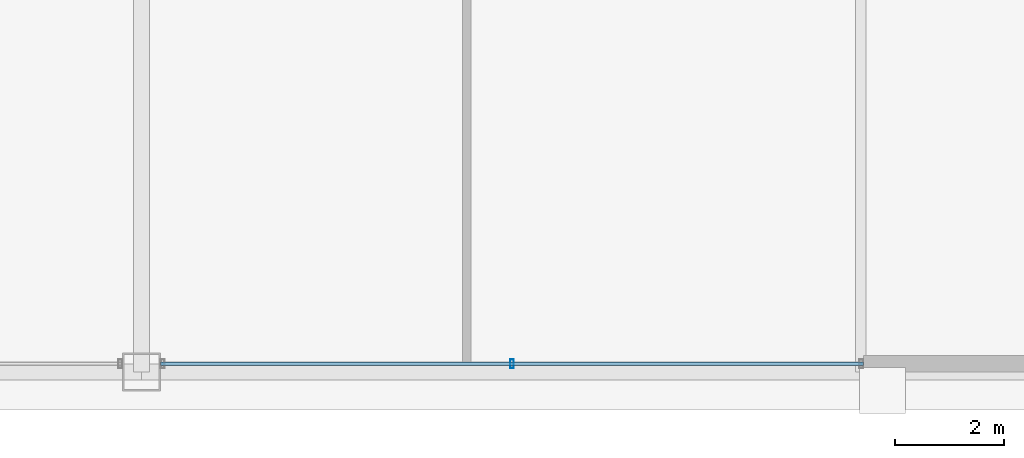
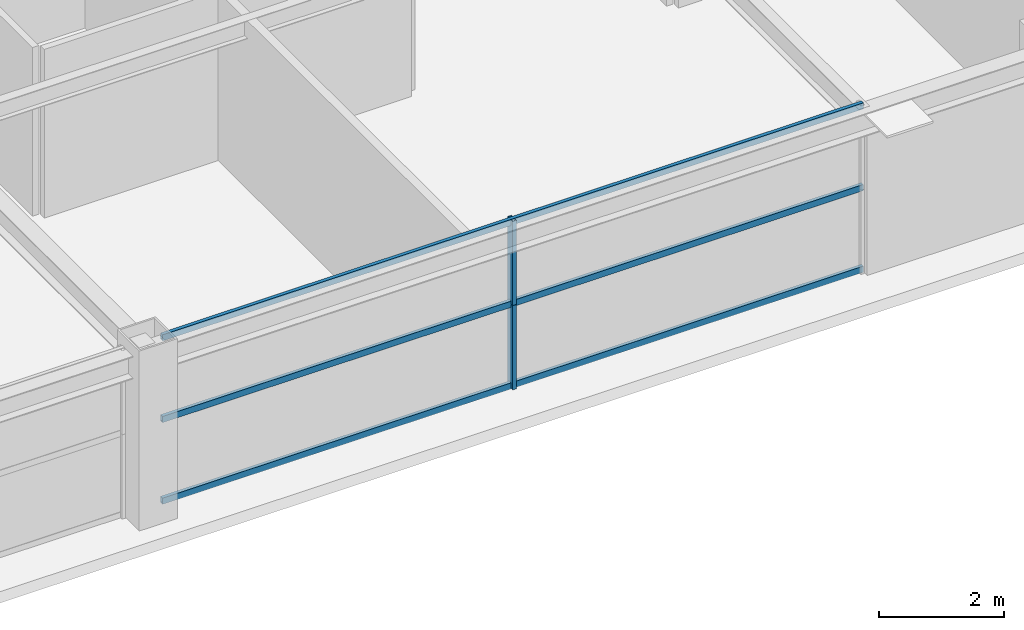
# One storey, part 12 of 37: 5 members, 1 element without a shape of its own.
"""IFC4 building model written with IfcOpenShell, lengths in metres."""

from ifc_helpers import new_model, si_unit, direction, frame, origin, origin_2d, place, context, subcontext, project, spatial, hollow_rectangle, extrude, source, transform, mapped, material, layer, layer_set, material_profile, profile_set, type_object, element, aggregate, save


model = new_model("IFC4")

# Units and contexts
model_context = context("Model", 3, precision=1e-05, world=origin(), true_north=direction((0.0, 1.0)))
body_context = subcontext(model_context, "Body", "Model", "MODEL_VIEW")
ifc_project = project(units=[si_unit("LENGTHUNIT", "METRE"), si_unit("AREAUNIT", "SQUARE_METRE"), si_unit("VOLUMEUNIT", "CUBIC_METRE"), si_unit("PLANEANGLEUNIT", "RADIAN"), si_unit("MASSUNIT", "GRAM", prefix="KILO"), si_unit("THERMODYNAMICTEMPERATUREUNIT", "KELVIN"), si_unit("POWERUNIT", "WATT")], contexts=[model_context])

# Site, building, storey
site_placement = place(None, origin())
site = spatial("IfcSite", under=ifc_project, at=site_placement, CompositionType="ELEMENT")
building_placement = place(site_placement, origin())
building = spatial("IfcBuilding", under=site, at=building_placement, Name="Yuzanri Waterfront Tower", CompositionType="ELEMENT")
storey_placement = place(building_placement, frame((0.0, 0.0, 275.10009765625)))
storey = spatial("IfcBuildingStorey", under=building, at=storey_placement, Name="L73", CompositionType="ELEMENT", Elevation=275.10009765625)

# Curtain wall, members
ifc_material_1 = material(Name="Anodized Architectural Bronze", Category="metal")
ifc_layer = layer(ifc_material_1, 0.159912109375)
ifc_layer_set = layer_set([ifc_layer], Name="Anodized Architectural Bronze")
curtain_wall_type = type_object("IfcCurtainWallType", Name="Anodized Bronze Mid-Rise Residential Acoustic Unitized Curtain Wall 7200", PredefinedType="NOTDEFINED", material=ifc_layer_set)
curtain_wall_placement = place(storey_placement, origin())
curtain_wall = element("IfcCurtainWall", 1, at=curtain_wall_placement, inside=storey, type_object=curtain_wall_type, Name="L73 Curtain Wall CW-L73-SR", PredefinedType="NOTDEFINED")
ifc_material_2 = material(Name="Anodized Architectural Bronze", Category="metal")
ifc_material_profile_1 = material_profile(ifc_material_2, hollow_rectangle(XDim=0.06494140625, YDim=0.159912109375, WallThickness=0.00341796875, at=origin_2d()), Name="CWM 65x160")
ifc_profile_set_1 = profile_set([ifc_material_profile_1], Name="Anodized Architectural Bronze")
member_type_1 = type_object("IfcMemberType", Name="Anodized Bronze Upper-Zone Curtain-Wall Mullion 65x160", PredefinedType="MULLION", material=ifc_profile_set_1)
shared_shape_1 = source(origin(), body_context, "Body", "SweptSolid", [
    extrude(hollow_rectangle(XDim=0.06494140625, YDim=0.159912109375, WallThickness=0.00341796875, at=origin_2d()), origin(), (0.0, 0.0, 1.0), 1.637939453125),
])
member_1_placement = place(storey_placement, frame((43.800048828125, 5.35009765625, 0.0), z_axis=(0.0, 0.0, 1.0), x_axis=(1.0, 0.0, 0.0)))
member_1 = element("IfcMember", 2, at=member_1_placement, type_object=member_type_1, Name="CW-L73-SR Lower Mullion 01", PredefinedType="MULLION", context=body_context, shape_type="MappedRepresentation", body=[
    mapped(shared_shape_1, transform((0.0, 0.0, 0.0), scale=1.0)),
])
member_2_placement = place(storey_placement, frame((43.800048828125, 5.35009765625, 1.641845703125), z_axis=(0.0, 0.0, 1.0), x_axis=(1.0, 0.0, 0.0)))
member_2 = element("IfcMember", 3, at=member_2_placement, type_object=member_type_1, Name="CW-L73-SR Upper Mullion 01", PredefinedType="MULLION", context=body_context, shape_type="MappedRepresentation", body=[
    mapped(shared_shape_1, transform((0.0, 0.0, 0.0), scale=1.0)),
])
ifc_material_3 = material(Name="Anodized Architectural Bronze", Category="metal")
ifc_material_profile_2 = material_profile(ifc_material_3, hollow_rectangle(XDim=0.06494140625, YDim=0.1201171875, WallThickness=0.00341796875, at=origin_2d()), Name="CWT 65x120")
ifc_profile_set_2 = profile_set([ifc_material_profile_2], Name="Anodized Architectural Bronze")
member_type_2 = type_object("IfcMemberType", Name="Anodized Bronze Secondary Curtain-Wall Transom 65x120", PredefinedType="USERDEFINED", material=ifc_profile_set_2)
shared_shape_2 = source(origin(), body_context, "Body", "SweptSolid", [
    extrude(hollow_rectangle(XDim=0.06494140625, YDim=0.1201171875, WallThickness=0.00341796875, at=origin_2d()), origin(), (0.0, 0.0, 1.0), 12.89990234375),
])
member_3_placement = place(storey_placement, frame((37.35009765625, 5.35009765625, 0.0498046875), z_axis=(1.0, 0.0, 0.0), x_axis=(0.0, 1.0, 0.0)))
member_3 = element("IfcMember", 4, at=member_3_placement, type_object=member_type_2, Name="CW-L73-SR Transom 1", ObjectType="TRANSOM", PredefinedType="USERDEFINED", context=body_context, shape_type="MappedRepresentation", body=[
    mapped(shared_shape_2, transform((0.0, 0.0, 0.0), scale=1.0)),
])
member_4_placement = place(storey_placement, frame((37.35009765625, 5.35009765625, 1.639892578125), z_axis=(1.0, 0.0, 0.0), x_axis=(0.0, 1.0, 0.0)))
member_4 = element("IfcMember", 5, at=member_4_placement, type_object=member_type_2, Name="CW-L73-SR Transom 2", ObjectType="TRANSOM", PredefinedType="USERDEFINED", context=body_context, shape_type="MappedRepresentation", body=[
    mapped(shared_shape_2, transform((0.0, 0.0, 0.0), scale=1.0)),
])
member_5_placement = place(storey_placement, frame((37.35009765625, 5.35009765625, 3.22998046875), z_axis=(1.0, 0.0, 0.0), x_axis=(0.0, 1.0, 0.0)))
member_5 = element("IfcMember", 6, at=member_5_placement, type_object=member_type_2, Name="CW-L73-SR Transom 3", ObjectType="TRANSOM", PredefinedType="USERDEFINED", context=body_context, shape_type="MappedRepresentation", body=[
    mapped(shared_shape_2, transform((0.0, 0.0, 0.0), scale=1.0)),
])
aggregate(curtain_wall, [member_1, member_2, member_3, member_4, member_5])

save(model, "model.ifc")
